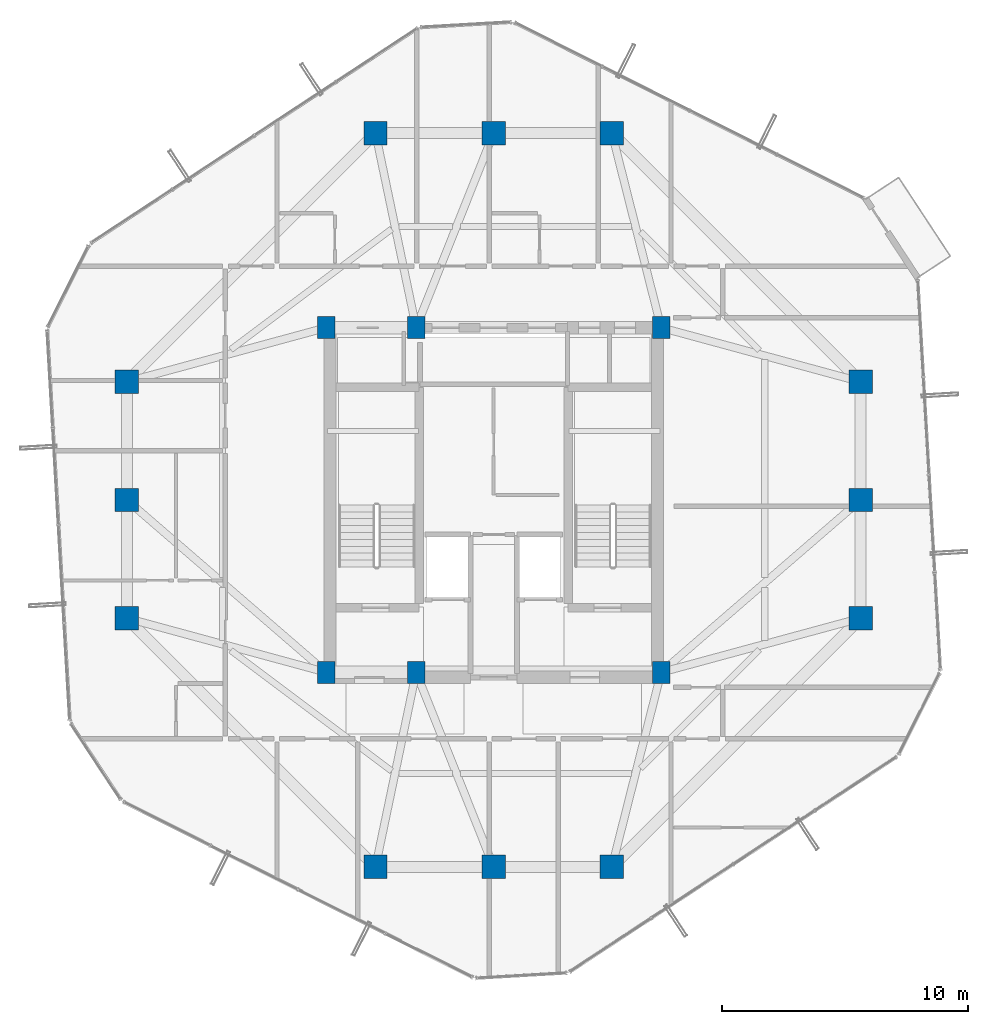
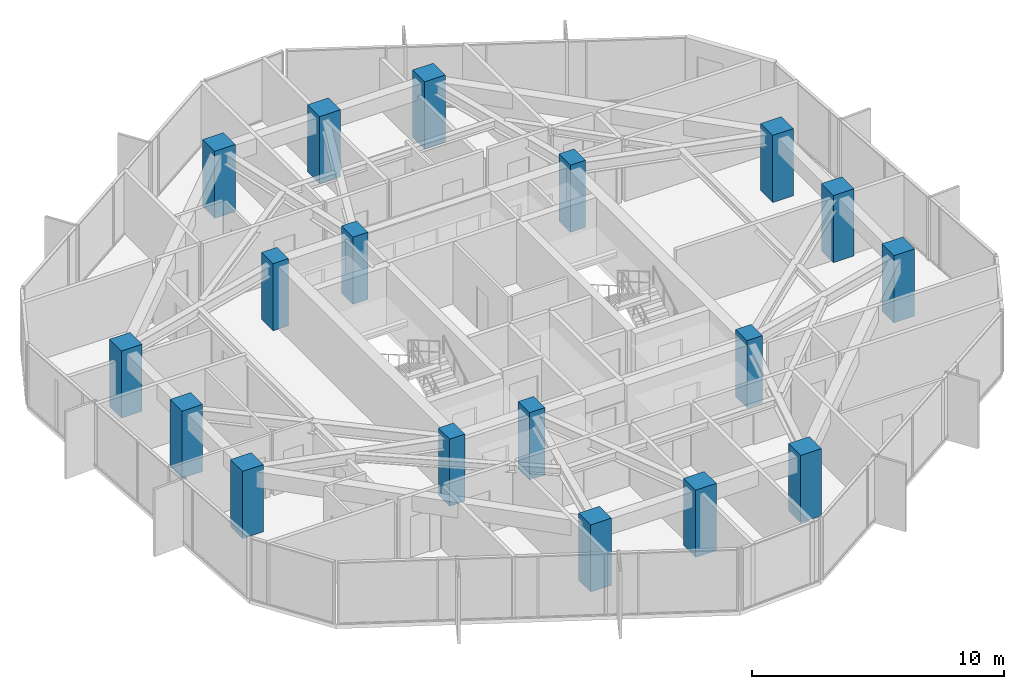
# One storey, part 1 of 33: 18 columns.
"""IFC4 building model written with IfcOpenShell, lengths in metres."""

from ifc_helpers import new_model, si_unit, direction, frame, origin, origin_2d, place, context, subcontext, project, spatial, rectangle, extrude, material, material_profile, profile_set, type_object, element, save


model = new_model("IFC4")

# Units and contexts
model_context = context("Model", 3, precision=1e-05, world=origin(), true_north=direction((0.0, 1.0)))
body_context = subcontext(model_context, "Body", "Model", "MODEL_VIEW")
ifc_project = project(units=[si_unit("LENGTHUNIT", "METRE"), si_unit("AREAUNIT", "SQUARE_METRE"), si_unit("VOLUMEUNIT", "CUBIC_METRE"), si_unit("PLANEANGLEUNIT", "RADIAN"), si_unit("MASSUNIT", "GRAM", prefix="KILO")], contexts=[model_context])

# Site, building, storey
site_placement = place(None, origin())
site = spatial("IfcSite", under=ifc_project, at=site_placement, CompositionType="ELEMENT")
building_placement = place(site_placement, origin())
building = spatial("IfcBuilding", under=site, at=building_placement, Name="Veraguas Prism Commons", CompositionType="ELEMENT")
storey_placement = place(building_placement, frame((0.0, 0.0, 195.10009765625)))
storey = spatial("IfcBuildingStorey", under=building, at=storey_placement, Name="L55", CompositionType="ELEMENT", Elevation=195.10009765625)

# Columns
ifc_material = material(Name="Concrete C50/60", Category="concrete")
ifc_material_profile_1 = material_profile(ifc_material, rectangle(XDim=0.949951171875, YDim=0.949951171875, at=origin_2d()), Name="RC950X950")
ifc_profile_set_1 = profile_set([ifc_material_profile_1], Name="Concrete C50/60")
column_type_1 = type_object("IfcColumnType", Name="Column Tube Z3 RC 950x950", PredefinedType="COLUMN", material=ifc_profile_set_1)
for number, where, z_axis, x_axis, name in (
    (1, (38.89990234375, 19.199951171875, 0.0), (0.0, 0.0, 1.0), (1.0, 0.0, 0.0), "Tower Perimeter Column L55-TB01"),
    (2, (38.89990234375, 24.0, 0.0), (0.0, 0.0, 1.0), (1.0, 0.0, 0.0), "Tower Perimeter Column L55-TB02"),
    (3, (38.89990234375, 28.800048828125, 0.0), (0.0, 0.0, 1.0), (1.0, 0.0, 0.0), "Tower Perimeter Column L55-TB03"),
    (4, (28.800048828125, 38.89990234375, 0.0), (0.0, 0.0, 1.0), (1.0, 0.0, 0.0), "Tower Perimeter Column L55-TB04"),
    (5, (24.0, 38.89990234375, 0.0), (0.0, 0.0, 1.0), (1.0, 0.0, 0.0), "Tower Perimeter Column L55-TB05"),
    (6, (19.199951171875, 38.89990234375, 0.0), (0.0, 0.0, 1.0), (1.0, 0.0, 0.0), "Tower Perimeter Column L55-TB06"),
    (7, (9.10009765625, 28.800048828125, 0.0), (0.0, 0.0, 1.0), (1.0, 0.0, 0.0), "Tower Perimeter Column L55-TB07"),
    (8, (9.10009765625, 24.0, 0.0), (0.0, 0.0, 1.0), (1.0, 0.0, 0.0), "Tower Perimeter Column L55-TB08"),
    (9, (9.10009765625, 19.199951171875, 0.0), (0.0, 0.0, 1.0), (1.0, 0.0, 0.0), "Tower Perimeter Column L55-TB09"),
    (10, (19.199951171875, 9.10009765625, 0.0), (0.0, 0.0, 1.0), (1.0, 0.0, 0.0), "Tower Perimeter Column L55-TB10"),
    (11, (24.0, 9.10009765625, 0.0), (0.0, 0.0, 1.0), (1.0, 0.0, 0.0), "Tower Perimeter Column L55-TB11"),
    (12, (28.800048828125, 9.10009765625, 0.0), (0.0, 0.0, 1.0), (1.0, 0.0, 0.0), "Tower Perimeter Column L55-TB12"),
):
    element("IfcColumn", number, at=place(storey_placement, frame(where, z_axis=z_axis, x_axis=x_axis)), inside=storey, type_object=column_type_1, Name=name, PredefinedType="COLUMN", context=body_context, shape_type="SweptSolid", body=[
        extrude(rectangle(XDim=0.949951171875, YDim=0.949951171875, at=origin_2d()), origin(), (0.0, 0.0, 1.0), 3.25),
    ])
ifc_material_profile_2 = material_profile(ifc_material, rectangle(XDim=0.699951171875, YDim=0.89990234375, at=origin_2d()), Name="RC700X900")
ifc_profile_set_2 = profile_set([ifc_material_profile_2], Name="Concrete C50/60")
column_type_2 = type_object("IfcColumnType", Name="Pilaster Core Upper RC 700x900", PredefinedType="PILASTER", material=ifc_profile_set_2)
for number, where, z_axis, x_axis, name in (
    (13, (17.199951171875, 17.0, 0.0), (0.0, 0.0, 1.0), (1.0, 0.0, 0.0), "Core Pilaster Column L55-CR1"),
    (14, (20.85009765625, 17.0, 0.0), (0.0, 0.0, 1.0), (1.0, 0.0, 0.0), "Core Pilaster Column L55-CR2"),
    (15, (30.800048828125, 17.0, 0.0), (0.0, 0.0, 1.0), (1.0, 0.0, 0.0), "Core Pilaster Column L55-CR3"),
    (16, (17.199951171875, 31.0, 0.0), (0.0, 0.0, 1.0), (1.0, 0.0, 0.0), "Core Pilaster Column L55-CR4"),
    (17, (20.85009765625, 31.0, 0.0), (0.0, 0.0, 1.0), (1.0, 0.0, 0.0), "Core Pilaster Column L55-CR5"),
    (18, (30.800048828125, 31.0, 0.0), (0.0, 0.0, 1.0), (1.0, 0.0, 0.0), "Core Pilaster Column L55-CR6"),
):
    element("IfcColumn", number, at=place(storey_placement, frame(where, z_axis=z_axis, x_axis=x_axis)), inside=storey, type_object=column_type_2, Name=name, PredefinedType="PILASTER", context=body_context, shape_type="SweptSolid", body=[
        extrude(rectangle(XDim=0.699951171875, YDim=0.89990234375, at=origin_2d()), origin(), (0.0, 0.0, 1.0), 3.25),
    ])

save(model, "model.ifc")
